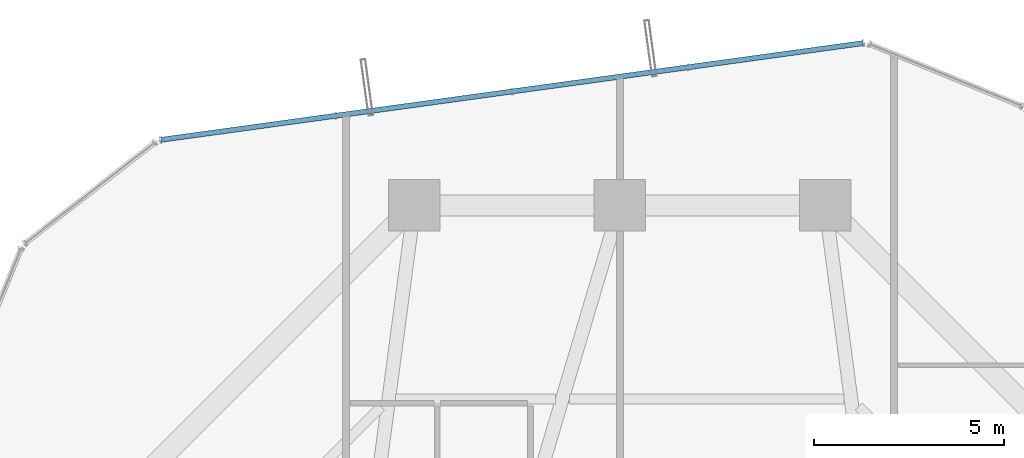
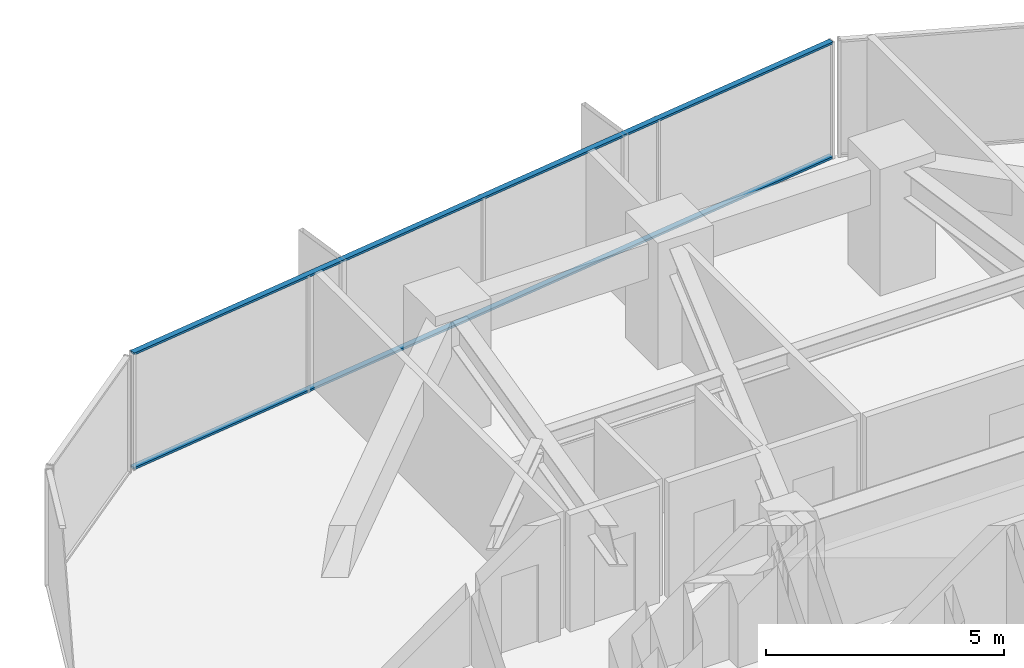
# One storey, part 26 of 37: 2 members, 1 element without a shape of its own.
"""IFC4 building model written with IfcOpenShell, lengths in metres."""

from ifc_helpers import new_model, si_unit, direction, frame, origin, origin_2d, place, context, subcontext, project, spatial, hollow_rectangle, extrude, source, transform, mapped, material, layer, layer_set, material_profile, profile_set, type_object, element, aggregate, save


model = new_model("IFC4")

# Units and contexts
model_context = context("Model", 3, precision=1e-05, world=origin(), true_north=direction((0.0, 1.0)))
body_context = subcontext(model_context, "Body", "Model", "MODEL_VIEW")
ifc_project = project(units=[si_unit("LENGTHUNIT", "METRE"), si_unit("AREAUNIT", "SQUARE_METRE"), si_unit("VOLUMEUNIT", "CUBIC_METRE"), si_unit("PLANEANGLEUNIT", "RADIAN"), si_unit("MASSUNIT", "GRAM", prefix="KILO")], contexts=[model_context])

# Site, building, storey
site_placement = place(None, origin())
site = spatial("IfcSite", under=ifc_project, at=site_placement, CompositionType="ELEMENT")
building_placement = place(site_placement, origin())
building = spatial("IfcBuilding", under=site, at=building_placement, Name="Veraguas Prism Commons", CompositionType="ELEMENT")
storey_placement = place(building_placement, frame((0.0, 0.0, 50.050048828125)))
storey = spatial("IfcBuildingStorey", under=building, at=storey_placement, Name="L13", CompositionType="ELEMENT", Elevation=50.050048828125)

# Curtain wall, members
ifc_material = material(Name="Anodised aluminium EN AW-6063 T6", Category="aluminium")
ifc_layer = layer(ifc_material, 0.169921875, Name="Unitised Flush Curtain Wall Zone 1", Category="aluminium")
ifc_layer_set = layer_set([ifc_layer], Name="Anodised aluminium EN AW-6063 T6")
curtain_wall_type = type_object("IfcCurtainWallType", Name="Unitised Flush Curtain Wall Zone 1", PredefinedType="NOTDEFINED", material=ifc_layer_set)
curtain_wall_placement = place(storey_placement, origin())
curtain_wall = element("IfcCurtainWall", 1, at=curtain_wall_placement, inside=storey, type_object=curtain_wall_type, Name="Tower Facade Curtain Wall L13-F2", PredefinedType="NOTDEFINED")
ifc_material_profile = material_profile(ifc_material, hollow_rectangle(XDim=0.054931640625, YDim=0.135009765625, WallThickness=0.0029296875, at=origin_2d()), Name="AL55X135X3")
ifc_profile_set = profile_set([ifc_material_profile], Name="Anodised aluminium EN AW-6063 T6")
member_type = type_object("IfcMemberType", Name="Curtain Wall Transom Standard AL 55x135x3", PredefinedType="USERDEFINED", material=ifc_profile_set)
shared_shape = source(origin(), body_context, "Body", "SweptSolid", [
    extrude(hollow_rectangle(XDim=0.054931640625, YDim=0.135009765625, WallThickness=0.0029296875, at=origin_2d()), origin(), (0.0, 0.0, 1.0), 18.6240234375),
])
member_1_placement = place(storey_placement, frame((30.389892578125, 45.860595703125, 0.02734375), z_axis=(-0.990652307782, -0.136411161885, 0.0), x_axis=(0.0, 0.0, 1.0)))
member_1 = element("IfcMember", 2, at=member_1_placement, type_object=member_type, Name="CW-Z1 Transom 1", ObjectType="TRANSOM", PredefinedType="USERDEFINED", context=body_context, shape_type="MappedRepresentation", body=[
    mapped(shared_shape, transform((0.0, 0.0, 0.0), scale=1.0)),
])
member_2_placement = place(storey_placement, frame((30.389892578125, 45.860595703125, 2.972412109375), z_axis=(-0.990652307782, -0.136411161885, 0.0), x_axis=(0.0, 0.0, 1.0)))
member_2 = element("IfcMember", 3, at=member_2_placement, type_object=member_type, Name="CW-Z1 Transom 2", ObjectType="TRANSOM", PredefinedType="USERDEFINED", context=body_context, shape_type="MappedRepresentation", body=[
    mapped(shared_shape, transform((0.0, 0.0, 0.0), scale=1.0)),
])
aggregate(curtain_wall, [member_1, member_2])

save(model, "model.ifc")
